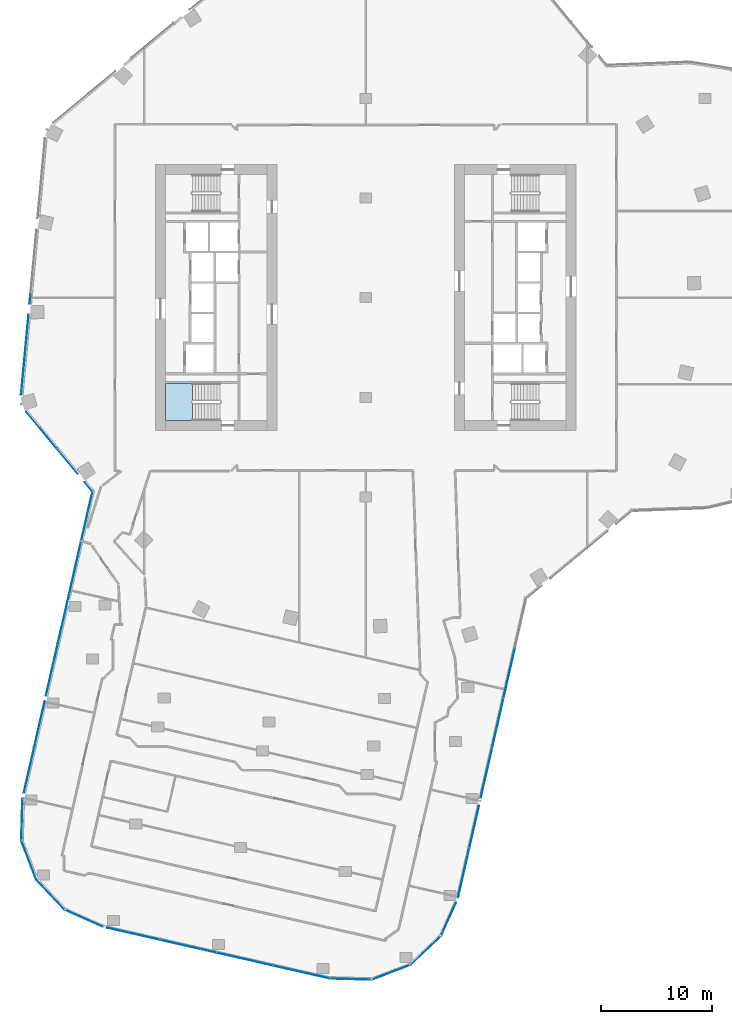
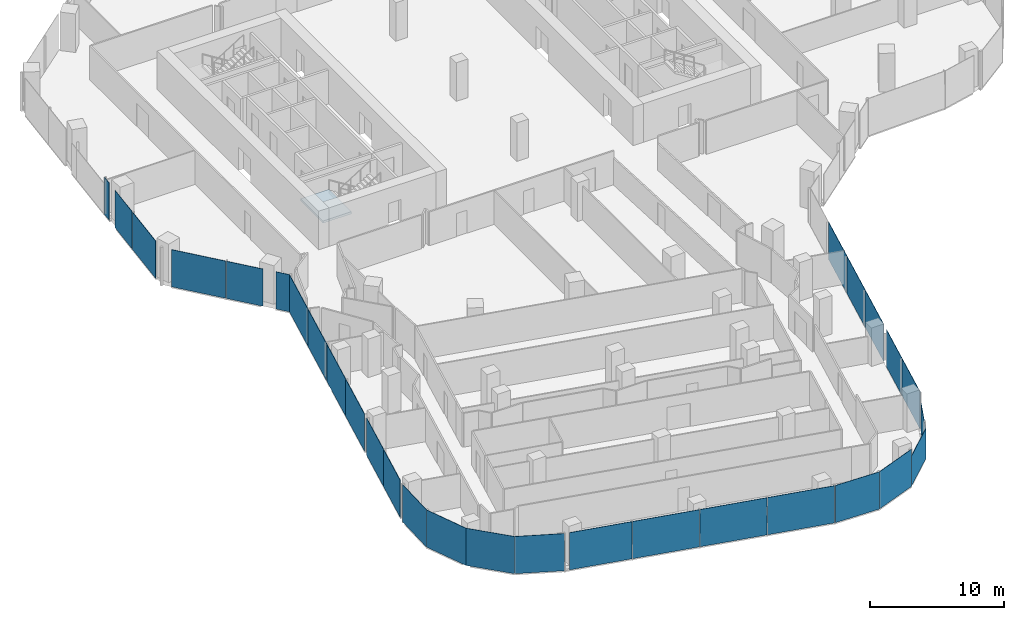
# One storey, part 14 of 23: 29 plates, 1 slab, 14 elements without a shape of their own.
"""IFC4 building model written with IfcOpenShell, lengths in metres."""

from ifc_helpers import new_model, si_unit, direction, frame, origin, origin_2d, place, context, subcontext, project, spatial, polyline, rectangle, outline, extrude, material, layer, layer_set, type_object, element, aggregate, save


model = new_model("IFC4")

# Units and contexts
model_context = context("Model", 3, precision=1e-05, world=origin(), true_north=direction((0.0, 1.0)))
body_context = subcontext(model_context, "Body", "Model", "MODEL_VIEW")
ifc_project = project(units=[si_unit("LENGTHUNIT", "METRE"), si_unit("AREAUNIT", "SQUARE_METRE"), si_unit("VOLUMEUNIT", "CUBIC_METRE"), si_unit("PLANEANGLEUNIT", "RADIAN"), si_unit("MASSUNIT", "GRAM", prefix="KILO")], contexts=[model_context])

# Site, building, storey
site_placement = place(None, origin())
site = spatial("IfcSite", under=ifc_project, at=site_placement, CompositionType="ELEMENT")
building_placement = place(site_placement, origin())
building = spatial("IfcBuilding", under=site, at=building_placement, Name="Orlundy Tower", CompositionType="ELEMENT")
storey_placement = place(building_placement, frame((0.0, 0.0, 181.10009765625)))
storey = spatial("IfcBuildingStorey", under=building, at=storey_placement, Name="L47", CompositionType="ELEMENT", Elevation=181.10009765625)

# Curtain wall, plates
ifc_material_1 = material(Name="Aluminium bronze anodised", Category="aluminium")
curtain_wall_type = type_object("IfcCurtainWallType", Name="CW1 wall", PredefinedType="NOTDEFINED", material=ifc_material_1)
curtain_wall_1_placement = place(storey_placement, origin())
curtain_wall_1 = element("IfcCurtainWall", 1, at=curtain_wall_1_placement, inside=storey, type_object=curtain_wall_type, Name="CW1 run 00", PredefinedType="NOTDEFINED")
ifc_material_2 = material(Name="Tinted glass", Category="glass")
ifc_layer_1 = layer(ifc_material_2, 0.031982421875)
ifc_layer_set_1 = layer_set([ifc_layer_1], Name="CW1 glass panel 32")
plate_type = type_object("IfcPlateType", Name="CW1 glass panel 32", PredefinedType="CURTAIN_PANEL", material=ifc_layer_set_1)
plate_1_placement = place(storey_placement, frame((-30.400390625, -42.668701171875, -0.300048828125), z_axis=(0.0, 0.0, 1.0), x_axis=(0.222096733251, 0.97502463614, 0.0)))
plate_1 = element("IfcPlate", 2, at=plate_1_placement, type_object=plate_type, Name="CW1 panel", PredefinedType="CURTAIN_PANEL", context=body_context, shape_type="SweptSolid", body=[
    extrude(rectangle(XDim=4.1708984375, YDim=0.031982421875, at=origin_2d()), origin(), (0.0, 0.0, 1.0), 3.3798828125),
])
plate_2_placement = place(storey_placement, frame((-29.45654296875, -38.52490234375, -0.300048828125), z_axis=(0.0, 0.0, 1.0), x_axis=(0.222096733251, 0.97502463614, 0.0)))
plate_2 = element("IfcPlate", 3, at=plate_2_placement, type_object=plate_type, Name="CW1 panel", PredefinedType="CURTAIN_PANEL", context=body_context, shape_type="SweptSolid", body=[
    extrude(rectangle(XDim=4.228759765625, YDim=0.031982421875, at=origin_2d()), origin(), (0.0, 0.0, 1.0), 3.3798828125),
])
plate_3_placement = place(storey_placement, frame((-28.347412109375, -33.656005859375, -0.300048828125), z_axis=(0.0, 0.0, 1.0), x_axis=(0.222096733251, 0.97502463614, 0.0)))
plate_3 = element("IfcPlate", 4, at=plate_3_placement, type_object=plate_type, Name="CW1 panel", PredefinedType="CURTAIN_PANEL", context=body_context, shape_type="SweptSolid", body=[
    extrude(rectangle(XDim=4.705322265625, YDim=0.031982421875, at=origin_2d()), origin(), (0.0, 0.0, 1.0), 3.3798828125),
])
plate_4_placement = place(storey_placement, frame((-27.291259765625, -29.019287109375, -0.300048828125), z_axis=(0.0, 0.0, 1.0), x_axis=(0.222096733251, 0.97502463614, 0.0)))
plate_4 = element("IfcPlate", 5, at=plate_4_placement, type_object=plate_type, Name="CW1 panel", PredefinedType="CURTAIN_PANEL", context=body_context, shape_type="SweptSolid", body=[
    extrude(rectangle(XDim=4.705322265625, YDim=0.031982421875, at=origin_2d()), origin(), (0.0, 0.0, 1.0), 3.3798828125),
])
plate_5_placement = place(storey_placement, frame((-26.235107421875, -24.382568359375, -0.300048828125), z_axis=(0.0, 0.0, 1.0), x_axis=(0.222096733251, 0.97502463614, 0.0)))
plate_5 = element("IfcPlate", 6, at=plate_5_placement, type_object=plate_type, Name="CW1 panel", PredefinedType="CURTAIN_PANEL", context=body_context, shape_type="SweptSolid", body=[
    extrude(rectangle(XDim=4.705322265625, YDim=0.031982421875, at=origin_2d()), origin(), (0.0, 0.0, 1.0), 3.3798828125),
])
plate_6_placement = place(storey_placement, frame((-25.185302734375, -19.773193359375, -0.300048828125), z_axis=(0.0, 0.0, 1.0), x_axis=(0.222096733251, 0.97502463614, 0.0)))
plate_6 = element("IfcPlate", 7, at=plate_6_placement, type_object=plate_type, Name="CW1 panel", PredefinedType="CURTAIN_PANEL", context=body_context, shape_type="SweptSolid", body=[
    extrude(rectangle(XDim=4.649658203125, YDim=0.031982421875, at=origin_2d()), origin(), (0.0, 0.0, 1.0), 3.3798828125),
])
aggregate(curtain_wall_1, [plate_1, plate_2, plate_3, plate_4, plate_5, plate_6])

curtain_wall_2_placement = place(storey_placement, origin())
curtain_wall_2 = element("IfcCurtainWall", 8, at=curtain_wall_2_placement, inside=storey, type_object=curtain_wall_type, Name="CW1 run 01", PredefinedType="NOTDEFINED")
plate_7_placement = place(storey_placement, frame((-25.015625, -17.08837890625, -0.300048828125), z_axis=(0.0, 0.0, 1.0), x_axis=(-0.638299162368, 0.769788399055, 0.0)))
plate_7 = element("IfcPlate", 9, at=plate_7_placement, type_object=plate_type, Name="CW1 panel", PredefinedType="CURTAIN_PANEL", context=body_context, shape_type="SweptSolid", body=[
    extrude(rectangle(XDim=1.086181640625, YDim=0.031982421875, at=origin_2d()), origin(), (0.0, 0.0, 1.0), 3.3798828125),
])
plate_8_placement = place(storey_placement, frame((-26.939453125, -14.76806640625, -0.300048828125), z_axis=(0.0, 0.0, 1.0), x_axis=(-0.638299162368, 0.769788399055, 0.0)))
plate_8 = element("IfcPlate", 10, at=plate_8_placement, type_object=plate_type, Name="CW1 panel", PredefinedType="CURTAIN_PANEL", context=body_context, shape_type="SweptSolid", body=[
    extrude(rectangle(XDim=2.910400390625, YDim=0.031982421875, at=origin_2d()), origin(), (0.0, 0.0, 1.0), 3.3798828125),
])
plate_9_placement = place(storey_placement, frame((-29.271240234375, -11.9560546875, -0.300048828125), z_axis=(0.0, 0.0, 1.0), x_axis=(-0.638299162368, 0.769788399055, 0.0)))
plate_9 = element("IfcPlate", 11, at=plate_9_placement, type_object=plate_type, Name="CW1 panel", PredefinedType="CURTAIN_PANEL", context=body_context, shape_type="SweptSolid", body=[
    extrude(rectangle(XDim=4.2958984375, YDim=0.031982421875, at=origin_2d()), origin(), (0.0, 0.0, 1.0), 3.3798828125),
])
aggregate(curtain_wall_2, [plate_7, plate_8, plate_9])

curtain_wall_3_placement = place(storey_placement, origin())
curtain_wall_3 = element("IfcCurtainWall", 12, at=curtain_wall_3_placement, inside=storey, type_object=curtain_wall_type, Name="CW1 run 02", PredefinedType="NOTDEFINED")
plate_10_placement = place(storey_placement, frame((-30.92138671875, -6.709228515625, -0.300048828125), z_axis=(0.0, 0.0, 1.0), x_axis=(0.092948066811, 0.995670958136, 0.0)))
plate_10 = element("IfcPlate", 13, at=plate_10_placement, type_object=plate_type, Name="CW1 panel", PredefinedType="CURTAIN_PANEL", context=body_context, shape_type="SweptSolid", body=[
    extrude(rectangle(XDim=4.14697265625, YDim=0.031982421875, at=origin_2d()), origin(), (0.0, 0.0, 1.0), 3.3798828125),
])
plate_11_placement = place(storey_placement, frame((-30.58203125, -3.073974609375, -0.300048828125), z_axis=(0.0, 0.0, 1.0), x_axis=(0.092948066811, 0.995670958136, 0.0)))
plate_11 = element("IfcPlate", 14, at=plate_11_placement, type_object=plate_type, Name="CW1 panel", PredefinedType="CURTAIN_PANEL", context=body_context, shape_type="SweptSolid", body=[
    extrude(rectangle(XDim=3.05517578125, YDim=0.031982421875, at=origin_2d()), origin(), (0.0, 0.0, 1.0), 3.3798828125),
])
plate_12_placement = place(storey_placement, frame((-30.305908203125, -0.1171875, -0.300048828125), z_axis=(0.0, 0.0, 1.0), x_axis=(0.092948066811, 0.995670958136, 0.0)))
plate_12 = element("IfcPlate", 15, at=plate_12_placement, type_object=plate_type, Name="CW1 panel", PredefinedType="CURTAIN_PANEL", context=body_context, shape_type="SweptSolid", body=[
    extrude(rectangle(XDim=0.846923828125, YDim=0.031982421875, at=origin_2d()), origin(), (0.0, 0.0, 1.0), 3.3798828125),
])
aggregate(curtain_wall_3, [plate_10, plate_11, plate_12])

curtain_wall_4_placement = place(storey_placement, origin())
curtain_wall_4 = element("IfcCurtainWall", 16, at=curtain_wall_4_placement, inside=storey, type_object=curtain_wall_type, Name="CW1 run 018", PredefinedType="NOTDEFINED")
plate_13_placement = place(storey_placement, frame((12.961181640625, -33.886962890625, -0.300048828125), z_axis=(0.0, 0.0, 1.0), x_axis=(-0.222106437373, -0.975022425628, 0.0)))
plate_13 = element("IfcPlate", 17, at=plate_13_placement, type_object=plate_type, Name="CW1 panel", PredefinedType="CURTAIN_PANEL", context=body_context, shape_type="SweptSolid", body=[
    extrude(rectangle(XDim=4.58056640625, YDim=0.031982421875, at=origin_2d()), origin(), (0.0, 0.0, 1.0), 3.3798828125),
])
plate_14_placement = place(storey_placement, frame((11.9326171875, -38.40185546875, -0.300048828125), z_axis=(0.0, 0.0, 1.0), x_axis=(-0.222106437373, -0.975022425628, 0.0)))
plate_14 = element("IfcPlate", 18, at=plate_14_placement, type_object=plate_type, Name="CW1 panel", PredefinedType="CURTAIN_PANEL", context=body_context, shape_type="SweptSolid", body=[
    extrude(rectangle(XDim=4.58056640625, YDim=0.031982421875, at=origin_2d()), origin(), (0.0, 0.0, 1.0), 3.3798828125),
])
plate_15_placement = place(storey_placement, frame((10.904052734375, -42.9169921875, -0.300048828125), z_axis=(0.0, 0.0, 1.0), x_axis=(-0.222106437373, -0.975022425628, 0.0)))
plate_15 = element("IfcPlate", 19, at=plate_15_placement, type_object=plate_type, Name="CW1 panel", PredefinedType="CURTAIN_PANEL", context=body_context, shape_type="SweptSolid", body=[
    extrude(rectangle(XDim=4.58056640625, YDim=0.031982421875, at=origin_2d()), origin(), (0.0, 0.0, 1.0), 3.3798828125),
])
plate_16_placement = place(storey_placement, frame((9.79833984375, -47.77099609375, -0.300048828125), z_axis=(0.0, 0.0, 1.0), x_axis=(-0.222106437373, -0.975022425628, 0.0)))
plate_16 = element("IfcPlate", 20, at=plate_16_placement, type_object=plate_type, Name="CW1 panel", PredefinedType="CURTAIN_PANEL", context=body_context, shape_type="SweptSolid", body=[
    extrude(rectangle(XDim=3.885009765625, YDim=0.031982421875, at=origin_2d()), origin(), (0.0, 0.0, 1.0), 3.3798828125),
])
plate_17_placement = place(storey_placement, frame((8.85400390625, -51.917236328125, -0.300048828125), z_axis=(0.0, 0.0, 1.0), x_axis=(-0.222106437373, -0.975022425628, 0.0)))
plate_17 = element("IfcPlate", 21, at=plate_17_placement, type_object=plate_type, Name="CW1 panel", PredefinedType="CURTAIN_PANEL", context=body_context, shape_type="SweptSolid", body=[
    extrude(rectangle(XDim=4.519775390625, YDim=0.031982421875, at=origin_2d()), origin(), (0.0, 0.0, 1.0), 3.3798828125),
])
aggregate(curtain_wall_4, [plate_13, plate_14, plate_15, plate_16, plate_17])

# Curtain wall, plate
curtain_wall_5_placement = place(storey_placement, origin())
curtain_wall_5 = element("IfcCurtainWall", 22, at=curtain_wall_5_placement, inside=storey, type_object=curtain_wall_type, Name="CW1 run 019", PredefinedType="NOTDEFINED")
plate_18_placement = place(storey_placement, frame((7.473388671875, -56.13427734375, -0.30029296875), z_axis=(0.0, 0.0, 1.0), x_axis=(-0.408164927627, -0.912908205602, 0.0)))
plate_18 = element("IfcPlate", 23, at=plate_18_placement, type_object=plate_type, Name="CW1 panel", PredefinedType="CURTAIN_PANEL", context=body_context, shape_type="SweptSolid", body=[
    extrude(rectangle(XDim=3.317626953125, YDim=0.031982421875, at=origin_2d()), origin(), (0.0, 0.0, 1.0), 2.739990234375),
])
aggregate(curtain_wall_5, [plate_18])

curtain_wall_6_placement = place(storey_placement, origin())
curtain_wall_6 = element("IfcCurtainWall", 24, at=curtain_wall_6_placement, inside=storey, type_object=curtain_wall_type, Name="CW1 run 020", PredefinedType="NOTDEFINED")
plate_19_placement = place(storey_placement, frame((5.42626953125, -58.945068359375, -0.30029296875), z_axis=(0.0, 0.0, 1.0), x_axis=(-0.726391984534, -0.687280644864, 0.0)))
plate_19 = element("IfcPlate", 25, at=plate_19_placement, type_object=plate_type, Name="CW1 panel", PredefinedType="CURTAIN_PANEL", context=body_context, shape_type="SweptSolid", body=[
    extrude(rectangle(XDim=3.772705078125, YDim=0.031982421875, at=origin_2d()), origin(), (0.0, 0.0, 1.0), 2.739990234375),
])
aggregate(curtain_wall_6, [plate_19])

curtain_wall_7_placement = place(storey_placement, origin())
curtain_wall_7 = element("IfcCurtainWall", 26, at=curtain_wall_7_placement, inside=storey, type_object=curtain_wall_type, Name="CW1 run 021", PredefinedType="NOTDEFINED")
plate_20_placement = place(storey_placement, frame((2.29443359375, -60.914794921875, -0.300048828125), z_axis=(0.0, 0.0, 1.0), x_axis=(-0.934115354942, -0.356971292489, 0.0)))
plate_20 = element("IfcPlate", 27, at=plate_20_placement, type_object=plate_type, Name="CW1 panel", PredefinedType="CURTAIN_PANEL", context=body_context, shape_type="SweptSolid", body=[
    extrude(rectangle(XDim=3.771484375, YDim=0.031982421875, at=origin_2d()), origin(), (0.0, 0.0, 1.0), 3.3798828125),
])
aggregate(curtain_wall_7, [plate_20])

curtain_wall_8_placement = place(storey_placement, origin())
curtain_wall_8 = element("IfcCurtainWall", 28, at=curtain_wall_8_placement, inside=storey, type_object=curtain_wall_type, Name="CW1 run 022", PredefinedType="NOTDEFINED")
plate_21_placement = place(storey_placement, frame((-1.331298828125, -61.53662109375, -0.300048828125), z_axis=(0.0, 0.0, 1.0), x_axis=(-0.999621254799, 0.02751993738, 0.0)))
plate_21 = element("IfcPlate", 29, at=plate_21_placement, type_object=plate_type, Name="CW1 panel", PredefinedType="CURTAIN_PANEL", context=body_context, shape_type="SweptSolid", body=[
    extrude(rectangle(XDim=3.72998046875, YDim=0.031982421875, at=origin_2d()), origin(), (0.0, 0.0, 1.0), 3.3798828125),
])
aggregate(curtain_wall_8, [plate_21])

# Curtain wall, plates
curtain_wall_9_placement = place(storey_placement, origin())
curtain_wall_9 = element("IfcCurtainWall", 30, at=curtain_wall_9_placement, inside=storey, type_object=curtain_wall_type, Name="CW1 run 023", PredefinedType="NOTDEFINED")
plate_22_placement = place(storey_placement, frame((-5.7880859375, -60.899658203125, -0.300048828125), z_axis=(0.0, 0.0, 1.0), x_axis=(-0.975026093537, 0.222090335048, 0.0)))
plate_22 = element("IfcPlate", 31, at=plate_22_placement, type_object=plate_type, Name="CW1 panel", PredefinedType="CURTAIN_PANEL", context=body_context, shape_type="SweptSolid", body=[
    extrude(rectangle(XDim=5.216064453125, YDim=0.031982421875, at=origin_2d()), origin(), (0.0, 0.0, 1.0), 3.3798828125),
])
plate_23_placement = place(storey_placement, frame((-10.9150390625, -59.73193359375, -0.300048828125), z_axis=(0.0, 0.0, 1.0), x_axis=(-0.975026093537, 0.222090335048, 0.0)))
plate_23 = element("IfcPlate", 32, at=plate_23_placement, type_object=plate_type, Name="CW1 panel", PredefinedType="CURTAIN_PANEL", context=body_context, shape_type="SweptSolid", body=[
    extrude(rectangle(XDim=5.2001953125, YDim=0.031982421875, at=origin_2d()), origin(), (0.0, 0.0, 1.0), 3.3798828125),
])
plate_24_placement = place(storey_placement, frame((-16.033935546875, -58.56591796875, -0.300048828125), z_axis=(0.0, 0.0, 1.0), x_axis=(-0.975026093537, 0.222090335048, 0.0)))
plate_24 = element("IfcPlate", 33, at=plate_24_placement, type_object=plate_type, Name="CW1 panel", PredefinedType="CURTAIN_PANEL", context=body_context, shape_type="SweptSolid", body=[
    extrude(rectangle(XDim=5.2001953125, YDim=0.031982421875, at=origin_2d()), origin(), (0.0, 0.0, 1.0), 3.3798828125),
])
plate_25_placement = place(storey_placement, frame((-20.98486328125, -57.438232421875, -0.300048828125), z_axis=(0.0, 0.0, 1.0), x_axis=(-0.975026093537, 0.222090335048, 0.0)))
plate_25 = element("IfcPlate", 34, at=plate_25_placement, type_object=plate_type, Name="CW1 panel", PredefinedType="CURTAIN_PANEL", context=body_context, shape_type="SweptSolid", body=[
    extrude(rectangle(XDim=4.85546875, YDim=0.031982421875, at=origin_2d()), origin(), (0.0, 0.0, 1.0), 3.3798828125),
])
aggregate(curtain_wall_9, [plate_22, plate_23, plate_24, plate_25])

# Curtain wall, plate
curtain_wall_10_placement = place(storey_placement, origin())
curtain_wall_10 = element("IfcCurtainWall", 35, at=curtain_wall_10_placement, inside=storey, type_object=curtain_wall_type, Name="CW1 run 024", PredefinedType="NOTDEFINED")
plate_26_placement = place(storey_placement, frame((-25.453857421875, -56.041748046875, -0.300048828125), z_axis=(0.0, 0.0, 1.0), x_axis=(-0.912908205602, 0.408164927627, 0.0)))
plate_26 = element("IfcPlate", 36, at=plate_26_placement, type_object=plate_type, Name="CW1 panel", PredefinedType="CURTAIN_PANEL", context=body_context, shape_type="SweptSolid", body=[
    extrude(rectangle(XDim=3.73046875, YDim=0.031982421875, at=origin_2d()), origin(), (0.0, 0.0, 1.0), 3.3798828125),
])
aggregate(curtain_wall_10, [plate_26])

curtain_wall_11_placement = place(storey_placement, origin())
curtain_wall_11 = element("IfcCurtainWall", 37, at=curtain_wall_11_placement, inside=storey, type_object=curtain_wall_type, Name="CW1 run 025", PredefinedType="NOTDEFINED")
plate_27_placement = place(storey_placement, frame((-28.45263671875, -53.91015625, -0.300048828125), z_axis=(0.0, 0.0, 1.0), x_axis=(-0.68713828172, 0.726526655942, 0.0)))
plate_27 = element("IfcPlate", 38, at=plate_27_placement, type_object=plate_type, Name="CW1 panel", PredefinedType="CURTAIN_PANEL", context=body_context, shape_type="SweptSolid", body=[
    extrude(rectangle(XDim=3.77197265625, YDim=0.031982421875, at=origin_2d()), origin(), (0.0, 0.0, 1.0), 3.3798828125),
])
aggregate(curtain_wall_11, [plate_27])

curtain_wall_12_placement = place(storey_placement, origin())
curtain_wall_12 = element("IfcCurtainWall", 39, at=curtain_wall_12_placement, inside=storey, type_object=curtain_wall_type, Name="CW1 run 026", PredefinedType="NOTDEFINED")
plate_28_placement = place(storey_placement, frame((-30.422119140625, -50.778564453125, -0.300048828125), z_axis=(0.0, 0.0, 1.0), x_axis=(-0.357206695331, 0.934025361974, 0.0)))
plate_28 = element("IfcPlate", 40, at=plate_28_placement, type_object=plate_type, Name="CW1 panel", PredefinedType="CURTAIN_PANEL", context=body_context, shape_type="SweptSolid", body=[
    extrude(rectangle(XDim=3.771728515625, YDim=0.031982421875, at=origin_2d()), origin(), (0.0, 0.0, 1.0), 3.3798828125),
])
aggregate(curtain_wall_12, [plate_28])

curtain_wall_13_placement = place(storey_placement, origin())
curtain_wall_13 = element("IfcCurtainWall", 41, at=curtain_wall_13_placement, inside=storey, type_object=curtain_wall_type, Name="CW1 run 027", PredefinedType="NOTDEFINED")
plate_29_placement = place(storey_placement, frame((-31.0439453125, -47.15283203125, -0.300048828125), z_axis=(0.0, 0.0, 1.0), x_axis=(0.027789533343, 0.999613796342, 0.0)))
plate_29 = element("IfcPlate", 42, at=plate_29_placement, type_object=plate_type, Name="CW1 panel", PredefinedType="CURTAIN_PANEL", context=body_context, shape_type="SweptSolid", body=[
    extrude(rectangle(XDim=3.72998046875, YDim=0.031982421875, at=origin_2d()), origin(), (0.0, 0.0, 1.0), 3.3798828125),
])
aggregate(curtain_wall_13, [plate_29])

# Stair, slab
ifc_material_3 = material(Name="Concrete C50/60", Category="concrete")
stair_type = type_object("IfcStairType", Name="Exit Stair 20 risers", PredefinedType="HALF_TURN_STAIR", material=ifc_material_3)
stair_placement = place(storey_placement, origin())
stair = element("IfcStair", 43, at=stair_placement, inside=storey, type_object=stair_type, Name="L47 Exit Stair ST-W2", PredefinedType="HALF_TURN_STAIR")
ifc_material_4 = material(Name="Concrete C50/60", Category="concrete")
ifc_layer_2 = layer(ifc_material_4, 0.199951171875)
ifc_layer_set_2 = layer_set([ifc_layer_2], Name="Exit Stair Landing")
slab_type = type_object("IfcSlabType", Name="Exit Stair Landing", PredefinedType="LANDING", material=ifc_layer_set_2)
slab_placement = place(storey_placement, frame((0.0, 0.0, 1.5498046875)))
slab = element("IfcSlab", 44, at=slab_placement, type_object=slab_type, Name="ST-W2 landing 1", PredefinedType="LANDING", context=body_context, shape_type="SweptSolid", body=[
    extrude(outline(polyline([(-15.659912109375, -7.75), (-18.10009765625, -7.75), (-18.10009765625, -11.10009765625), (-15.659912109375, -11.10009765625), (-15.659912109375, -7.75)])), origin(), (0.0, 0.0, 1.0), 0.2001953125),
])
aggregate(stair, [slab])

save(model, "model.ifc")
